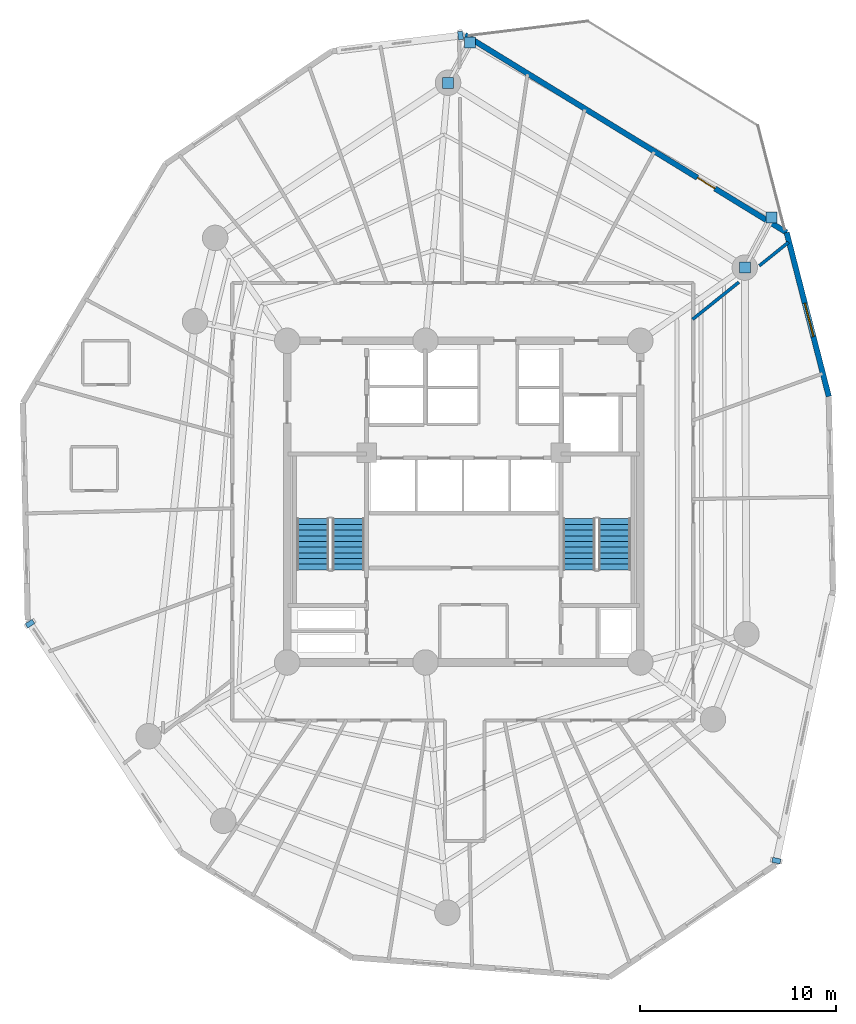
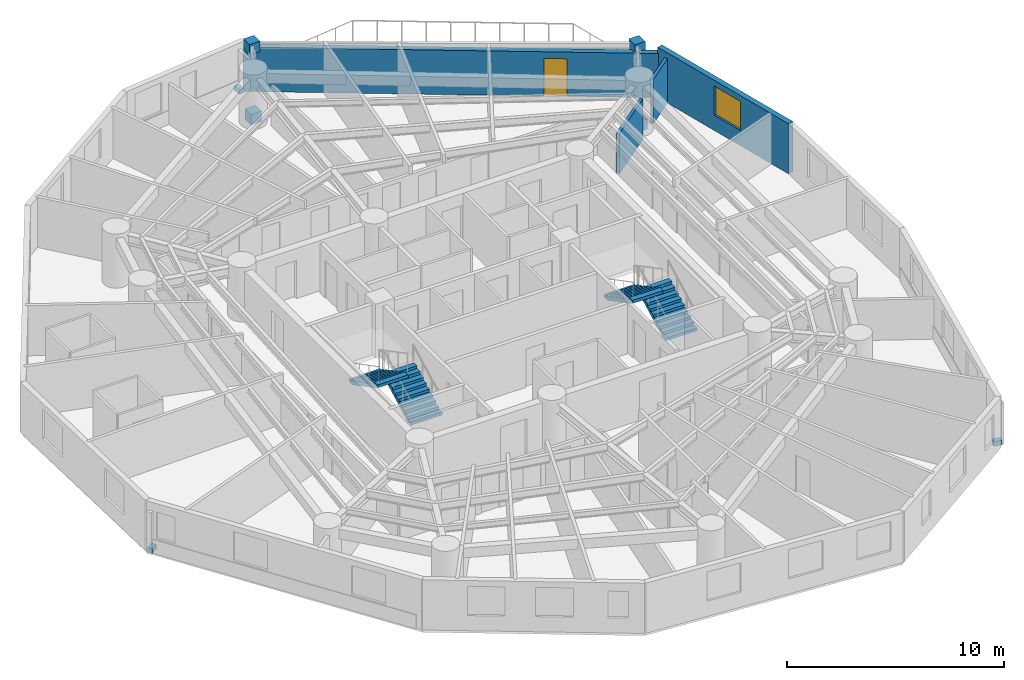
# One storey, part 7 of 9: 7 discrete accessories, 4 stair flights, 4 walls, 1 door, 1 window, 2 openings, 2 elements without a shape of their own.
"""IFC4 building model written with IfcOpenShell, lengths in metres."""

import ifcopenshell
import ifcopenshell.guid

model = None  # the IFC model being written
_history = None  # IfcOwnerHistory: only IFC2X3 demands one
_inside = {}  # id of a spatial element -> (the spatial element, [elements in it])
_under = {}  # id of a project, library or spatial element -> (it, [spatial elements below it])
_declared = {}  # id of a project -> (the project, [libraries it declares])
_typed = {}  # id of a type object -> (the type object, [elements of that type])
_made_of = {}  # id of a material, layer set ... -> (it, [elements and type objects made of it])


def new_model(schema):
    """Start an empty IFC model of exactly this schema.

    Asked for "IFC4X3", IfcOpenShell would pick the latest addendum, in which some entities
    have other attributes; the version numbers below select the first issue.
    IFC2X3 requires an IfcOwnerHistory on every rooted entity: one is made here for all.
    """
    global model, _history
    if schema == "IFC4X3":
        model = ifcopenshell.file(schema_version=(4, 3, 0, 0))
    else:
        model = ifcopenshell.file(schema=schema)
    _inside.clear()
    _under.clear()
    _declared.clear()
    _typed.clear()
    _made_of.clear()
    _history = None
    if model.schema == "IFC2X3":
        org = make("IfcOrganization", Name="unknown")
        user = make(
            "IfcPersonAndOrganization",
            ThePerson=make("IfcPerson", FamilyName="unknown"),
            TheOrganization=org,
        )
        app = make(
            "IfcApplication",
            ApplicationDeveloper=org,
            Version="unknown",
            ApplicationFullName="unknown",
            ApplicationIdentifier="unknown",
        )
        _history = make(
            "IfcOwnerHistory",
            OwningUser=user,
            OwningApplication=app,
            ChangeAction="ADDED",
            CreationDate=0,
        )
    return model


def make(cls, **values):
    """One entity of the class cls with the attributes given. An attribute that is None is left unset."""
    return model.create_entity(
        cls, **{name: value for name, value in values.items() if value is not None}
    )


def rooted(cls, **values):
    """An entity with a GlobalId (a new one), such as an element, a storey or a relation."""
    return make(cls, GlobalId=ifcopenshell.guid.new(), OwnerHistory=_history, **values)


def si_unit(unit_type, name, prefix=None):
    """IfcSIUnit, for example si_unit("LENGTHUNIT", "METRE", prefix="MILLI")."""
    return make("IfcSIUnit", UnitType=unit_type, Prefix=prefix, Name=name)


def assignment(units):
    """IfcUnitAssignment: the units of a project."""
    return None if units is None else make("IfcUnitAssignment", Units=units)


def point(xyz):
    """IfcCartesianPoint."""
    return None if xyz is None else make("IfcCartesianPoint", Coordinates=xyz)


def direction(xyz):
    """IfcDirection."""
    return None if xyz is None else make("IfcDirection", DirectionRatios=xyz)


def frame(location, z_axis=None, x_axis=None):
    """IfcAxis2Placement3D, a coordinate frame: its origin and axes. An axis left out is left unset."""
    return make(
        "IfcAxis2Placement3D",
        Location=point(location),
        Axis=direction(z_axis),
        RefDirection=direction(x_axis),
    )


def frame_2d(location, x_axis=None):
    """IfcAxis2Placement2D, a coordinate frame in the plane: its origin and x axis."""
    return make(
        "IfcAxis2Placement2D", Location=point(location), RefDirection=direction(x_axis)
    )


def origin():
    """The frame at (0, 0, 0) with its axes left unset."""
    return frame((0.0, 0.0, 0.0))


def origin_with_axes():
    """The frame at (0, 0, 0) with the z axis (0, 0, 1) and the x axis (1, 0, 0) written out."""
    return frame((0.0, 0.0, 0.0), z_axis=(0.0, 0.0, 1.0), x_axis=(1.0, 0.0, 0.0))


def origin_2d():
    """The frame at (0, 0) in the plane with its x axis left unset."""
    return frame_2d((0.0, 0.0))


def place(relative_to, where):
    """IfcLocalPlacement: puts the frame where relative to a parent placement (None: the world)."""
    return make(
        "IfcLocalPlacement", PlacementRelTo=relative_to, RelativePlacement=where
    )


def context(
    kind, dimensions, precision=None, world=None, true_north=None, identifier=None
):
    """IfcGeometricRepresentationContext, for example the 3D "Model" context."""
    return make(
        "IfcGeometricRepresentationContext",
        ContextIdentifier=identifier,
        ContextType=kind,
        CoordinateSpaceDimension=dimensions,
        Precision=precision,
        WorldCoordinateSystem=world,
        TrueNorth=true_north,
    )


def subcontext(parent, identifier, kind, view, scale=None):
    """IfcGeometricRepresentationSubContext, for example "Body" below "Model"."""
    return make(
        "IfcGeometricRepresentationSubContext",
        ContextIdentifier=identifier,
        ContextType=kind,
        ParentContext=parent,
        TargetScale=scale,
        TargetView=view,
    )


def project(units=None, contexts=None):
    """IfcProject with its units and contexts."""
    return rooted(
        "IfcProject",
        Name="project",
        RepresentationContexts=contexts,
        UnitsInContext=assignment(units),
    )


def spatial(cls, under=None, at=None, **own):
    """A site, building, storey or space (cls), placed at a placement, below another one or the project."""
    s = rooted(cls, ObjectPlacement=at, **own)
    if under is not None:
        _under.setdefault(under.id(), (under, []))[1].append(s)
    return s


def polyline(points):
    """IfcPolyline through the points."""
    return make("IfcPolyline", Points=[point(p) for p in points])


def profile(cls, at=None, kind="AREA", **sizes):
    """A parametric profile (cls). Its sizes go by their IFC names, for example OverallWidth=200.0."""
    return make(cls, ProfileType=kind, Position=at, **sizes)


def rectangle(**sizes):
    """IfcRectangleProfileDef."""
    return profile("IfcRectangleProfileDef", **sizes)


def outline(outer, holes=None, kind="AREA"):
    """IfcArbitraryClosedProfileDef: a profile drawn as a closed curve; with holes, ...WithVoids."""
    if holes is None:
        return make("IfcArbitraryClosedProfileDef", ProfileType=kind, OuterCurve=outer)
    return make(
        "IfcArbitraryProfileDefWithVoids",
        ProfileType=kind,
        OuterCurve=outer,
        InnerCurves=holes,
    )


def extrude(swept, where, along, depth):
    """IfcExtrudedAreaSolid: the profile swept, set in the frame where, extruded along a direction by depth."""
    return make(
        "IfcExtrudedAreaSolid",
        SweptArea=swept,
        Position=where,
        ExtrudedDirection=direction(along),
        Depth=depth,
    )


def shape(context_of_items, identifier, shape_type, items):
    """IfcShapeRepresentation: the items that make up one representation, for example the "Body"."""
    return make(
        "IfcShapeRepresentation",
        ContextOfItems=context_of_items,
        RepresentationIdentifier=identifier,
        RepresentationType=shape_type,
        Items=items,
    )


def source(mapping_origin, context_of_items, identifier, shape_type, items):
    """IfcRepresentationMap: a shape defined once, which mapped items show again and again."""
    return make(
        "IfcRepresentationMap",
        MappingOrigin=mapping_origin,
        MappedRepresentation=shape(context_of_items, identifier, shape_type, items),
    )


def transform(
    local_origin,
    x_axis=None,
    y_axis=None,
    z_axis=None,
    scale=None,
    scale2=None,
    scale3=None,
    uniform=True,
):
    """IfcCartesianTransformationOperator3D, or its non-uniform kind. x_axis, y_axis, z_axis: its Axis1, 2, 3."""
    if uniform:
        return make(
            "IfcCartesianTransformationOperator3D",
            Axis1=direction(x_axis),
            Axis2=direction(y_axis),
            LocalOrigin=point(local_origin),
            Scale=scale,
            Axis3=direction(z_axis),
        )
    return make(
        "IfcCartesianTransformationOperator3DnonUniform",
        Axis1=direction(x_axis),
        Axis2=direction(y_axis),
        LocalOrigin=point(local_origin),
        Scale=scale,
        Axis3=direction(z_axis),
        Scale2=scale2,
        Scale3=scale3,
    )


def mapped(mapping_source, mapping_target):
    """IfcMappedItem: shows the shape of a source again, moved by a transform."""
    return make(
        "IfcMappedItem", MappingSource=mapping_source, MappingTarget=mapping_target
    )


def material(Name=None, Category=None):
    """IfcMaterial."""
    return make("IfcMaterial", Name=Name, Category=Category)


def layer(
    of_material, thickness, ventilated=None, Name=None, Category=None, Priority=None
):
    """IfcMaterialLayer: one layer of a wall or slab, of a material (None: an air gap)."""
    return make(
        "IfcMaterialLayer",
        Material=of_material,
        LayerThickness=thickness,
        IsVentilated=ventilated,
        Name=Name,
        Category=Category,
        Priority=Priority,
    )


def layer_set(layers, Name=None):
    """IfcMaterialLayerSet."""
    return make("IfcMaterialLayerSet", MaterialLayers=layers, LayerSetName=Name)


def made_of(thing, what):
    """Note that an element or type object is made of a material, layer set ...; save() writes the relation."""
    if what is not None:
        _made_of.setdefault(what.id(), (what, []))[1].append(thing)
    return thing


def type_object(cls, material=None, **own):
    """A type object (cls), such as IfcWallType, which elements share."""
    return made_of(rooted(cls, **own), material)


def element(
    cls,
    number,
    at=None,
    inside=None,
    cuts=None,
    type_object=None,
    material=None,
    context=None,
    identifier="Body",
    shape_type=None,
    held_by="IfcProductDefinitionShape",
    body=None,
    shapes=None,
    **own,
):
    """One element of the class cls, such as IfcWall. Its Tag is "e" and its number.

    at: its placement. inside: the storey or other place that contains it. cuts: it is an
    opening in that element (IfcRelVoidsElement). A single representation is given by context,
    identifier, shape_type and body (its items); several are given by shapes. held_by: the class
    of the entity that holds the representations. save() writes the other relations.
    """
    e = rooted(cls, Tag="e%d" % number, ObjectPlacement=at, **own)
    if body is not None:
        shapes = [shape(context, identifier, shape_type, body)]
    if shapes is not None:
        e.Representation = make(held_by, Representations=shapes)
    if inside is not None:
        _inside.setdefault(inside.id(), (inside, []))[1].append(e)
    if cuts is not None:
        rooted(
            "IfcRelVoidsElement", RelatingBuildingElement=cuts, RelatedOpeningElement=e
        )
    if type_object is not None:
        _typed.setdefault(type_object.id(), (type_object, []))[1].append(e)
    return made_of(e, material)


def fill(opening, filler):
    """IfcRelFillsElement: the door or window that sits in an opening."""
    return rooted(
        "IfcRelFillsElement",
        RelatingOpeningElement=opening,
        RelatedBuildingElement=filler,
    )


def aggregate(whole, parts):
    """IfcRelAggregates: a whole, such as a stair, and the parts it consists of."""
    return rooted("IfcRelAggregates", RelatingObject=whole, RelatedObjects=parts)


def save(model, path):
    """Write the relations noted so far, then the file.

    IfcRelAggregates (storeys below a building ...), IfcRelContainedInSpatialStructure (elements
    in a storey), IfcRelDefinesByType, IfcRelAssociatesMaterial and IfcRelDeclares: one each for
    every whole, place, type object, material and project.
    """
    for whole, parts in _under.values():
        aggregate(whole, parts)
    for where, things in _inside.values():
        rooted(
            "IfcRelContainedInSpatialStructure",
            RelatedElements=things,
            RelatingStructure=where,
        )
    for kind, things in _typed.values():
        rooted("IfcRelDefinesByType", RelatedObjects=things, RelatingType=kind)
    for what, things in _made_of.values():
        rooted("IfcRelAssociatesMaterial", RelatedObjects=things, RelatingMaterial=what)
    for by, libraries in _declared.values():
        rooted("IfcRelDeclares", RelatingContext=by, RelatedDefinitions=libraries)
    model.write(path)


model = new_model("IFC4")

# Units and contexts
model_context = context("Model", 3, precision=1e-05, world=origin(), true_north=direction((0.0, 1.0)))
body_context = subcontext(model_context, "Body", "Model", "MODEL_VIEW")
ifc_project = project(units=[si_unit("LENGTHUNIT", "METRE"), si_unit("AREAUNIT", "SQUARE_METRE"), si_unit("VOLUMEUNIT", "CUBIC_METRE"), si_unit("PLANEANGLEUNIT", "RADIAN"), si_unit("MASSUNIT", "GRAM", prefix="KILO")], contexts=[model_context])

# Site, building, storey
site_placement = place(None, origin())
site = spatial("IfcSite", under=ifc_project, at=site_placement, CompositionType="ELEMENT")
building_placement = place(site_placement, origin())
building = spatial("IfcBuilding", under=site, at=building_placement, Name="Karkom Vertical University and Central Library", CompositionType="ELEMENT")
storey_placement = place(building_placement, frame((0.0, 0.0, 190.10009765625)))
storey = spatial("IfcBuildingStorey", under=building, at=storey_placement, Name="L55", CompositionType="ELEMENT", Elevation=190.10009765625)

# Wall, opening, window
ifc_material_1 = material(Name="Brick-faced precast concrete C45/55", Category="masonry")
ifc_layer_1 = layer(ifc_material_1, 0.280029296875)
ifc_layer_set_1 = layer_set([ifc_layer_1], Name="Brick-faced precast concrete C45/55")
wall_type_1 = type_object("IfcWallType", Name="ENV-WL-BRK-280", PredefinedType="SOLIDWALL", material=ifc_layer_set_1)
wall_1_placement = place(storey_placement, frame((47.107421875, 31.861328125, 0.0), z_axis=(0.0, 0.0, 1.0), x_axis=(-0.249041039811, 0.968492932597, 0.0)))
wall_1 = element("IfcWall", 1, at=wall_1_placement, inside=storey, type_object=wall_type_1, Name="Level 55 Brick-Faced Precast Facade Wall 07", PredefinedType="SOLIDWALL", context=body_context, shape_type="SweptSolid", body=[
    extrude(rectangle(XDim=8.62890625, YDim=0.280029296875, at=frame_2d((4.314453125, 0.0))), origin(), (0.0, 0.0, 1.0), 2.824951171875),
])
opening_1_placement = place(wall_1_placement, frame((3.154296875, 0.0, 0.85009765625)))
opening_1 = element("IfcOpeningElement", 2, at=opening_1_placement, cuts=wall_1, Name="Opening WN-08", PredefinedType="OPENING", context=body_context, shape_type="SweptSolid", body=[
    extrude(rectangle(XDim=1.75, YDim=1.64990234375, at=frame_2d((0.875, 0.824951171875))), frame((0.0, 0.14990234375, 0.0), z_axis=(0.0, -1.0, 0.0), x_axis=(1.0, 0.0, 0.0)), (0.0, 0.0, 1.0), 0.300048828125),
])
ifc_material_2 = material(Name="Aluminium thermal-break frame with solar-control IGU", Category="aluminium")
window_type = type_object("IfcWindowType", Name="ENV-WIN-WN-08", PartitioningType="SINGLE_PANEL", PredefinedType="WINDOW", material=ifc_material_2)
shared_shape_1 = source(origin_with_axes(), body_context, "Body", "SweptSolid", [
    extrude(rectangle(XDim=1.75, YDim=1.64990234375, at=frame_2d((0.875, 0.824951171875))), frame((0.0, 0.030029296875, 0.0), z_axis=(0.0, -1.0, 0.0), x_axis=(1.0, 0.0, 0.0)), (0.0, 0.0, 1.0), 0.06005859375),
])
window_placement = place(opening_1_placement, origin())
window = element("IfcWindow", 3, at=window_placement, inside=storey, type_object=window_type, Name="Level 55 Punched Window 7.1", OverallHeight=1.64990234375, OverallWidth=1.75, PartitioningType="SINGLE_PANEL", PredefinedType="WINDOW", context=body_context, shape_type="MappedRepresentation", body=[
    mapped(shared_shape_1, transform((0.0, 0.0, 0.0), scale=1.0)),
])
fill(opening_1, window)

# Wall, opening, door
wall_2_placement = place(storey_placement, frame((44.95849609375, 40.21826171875, 0.0), z_axis=(0.0, 0.0, 1.0), x_axis=(-0.852257947878, 0.523121773853, 0.0)))
wall_2 = element("IfcWall", 4, at=wall_2_placement, inside=storey, type_object=wall_type_1, Name="Level 55 Brick-Faced Precast Facade Wall 08", PredefinedType="SOLIDWALL", context=body_context, shape_type="SweptSolid", body=[
    extrude(rectangle(XDim=19.245849609375, YDim=0.280029296875, at=frame_2d((9.623046875, 0.0))), origin(), (0.0, 0.0, 1.0), 2.494873046875),
])
opening_2_placement = place(wall_2_placement, frame((4.28662109375, 0.0, 0.0)))
opening_2 = element("IfcOpeningElement", 5, at=opening_2_placement, cuts=wall_2, Name="Opening TD-1", PredefinedType="OPENING", context=body_context, shape_type="SweptSolid", body=[
    extrude(rectangle(XDim=1.050048828125, YDim=2.1201171875, at=frame_2d((0.52490234375, 1.06005859375))), frame((0.0, 0.14990234375, 0.0), z_axis=(0.0, -1.0, 0.0), x_axis=(1.0, 0.0, 0.0)), (0.0, 0.0, 1.0), 0.300048828125),
])
ifc_material_3 = material(Name="Thermally broken glazed aluminium terrace door", Category="aluminium")
door_type = type_object("IfcDoorType", Name="ENV-DR-TERR", OperationType="NOTDEFINED", PredefinedType="DOOR", material=ifc_material_3)
shared_shape_2 = source(origin_with_axes(), body_context, "Body", "SweptSolid", [
    extrude(rectangle(XDim=1.050048828125, YDim=2.1201171875, at=frame_2d((0.52490234375, 1.06005859375))), frame((0.0, 0.02490234375, 0.0), z_axis=(0.0, -1.0, 0.0), x_axis=(1.0, 0.0, 0.0)), (0.0, 0.0, 1.0), 0.050048828125),
])
door_placement = place(opening_2_placement, origin())
door = element("IfcDoor", 6, at=door_placement, inside=storey, type_object=door_type, Name="Level 55 Outdoor Terrace Access Door", OperationType="SINGLE_SWING_RIGHT", OverallHeight=2.1201171875, OverallWidth=1.050048828125, PredefinedType="DOOR", context=body_context, shape_type="MappedRepresentation", body=[
    mapped(shared_shape_2, transform((0.0, 0.0, 0.0), scale=1.0)),
])
fill(opening_2, door)

# Walls
ifc_material_4 = material(Name="Insulated metal-stud drywall 160mm", Category="gypsum")
ifc_layer_2 = layer(ifc_material_4, 0.159912109375)
ifc_layer_set_2 = layer_set([ifc_layer_2], Name="Insulated metal-stud drywall 160mm")
wall_type_2 = type_object("IfcWallType", Name="INT-WL-COR-160", PredefinedType="PARTITIONING", material=ifc_layer_set_2)
wall_3_placement = place(storey_placement, frame((40.164794921875, 35.79248046875, 0.0), z_axis=(0.0, 0.0, 1.0), x_axis=(0.77963972714, 0.626228309696, 0.0)))
element("IfcWall", 7, at=wall_3_placement, inside=storey, type_object=wall_type_2, Name="Level 55 Interior Partition Wall L55-PW-021", PredefinedType="PARTITIONING", context=body_context, shape_type="SweptSolid", body=[
    extrude(rectangle(XDim=3.02685546875, YDim=0.159912109375, at=frame_2d((1.513427734375, 0.0))), origin(), (0.0, 0.0, 1.0), 2.27490234375),
])
wall_4_placement = place(storey_placement, frame((43.56396484375, 38.522705078125, 0.0), z_axis=(0.0, 0.0, 1.0), x_axis=(0.779659188249, 0.626204080295, 0.0)))
element("IfcWall", 8, at=wall_4_placement, inside=storey, type_object=wall_type_2, Name="Level 55 Interior Partition Wall L55-PW-022", PredefinedType="PARTITIONING", context=body_context, shape_type="SweptSolid", body=[
    extrude(rectangle(XDim=1.912353515625, YDim=0.159912109375, at=frame_2d((0.9560546875, 0.0))), origin(), (0.0, 0.0, 1.0), 2.494873046875),
])

# Stair, stair flights
ifc_material_5 = material(Name="Concrete C45/55", Category="concrete")
stair_type = type_object("IfcStairType", Name="INT-STR-ST-MAIN", PredefinedType="HALF_TURN_STAIR", material=ifc_material_5)
stair_1_placement = place(storey_placement, origin())
stair_1 = element("IfcStair", 9, at=stair_1_placement, inside=storey, type_object=stair_type, Name="Level 55 Tower Protected Exit Stair ST-1", PredefinedType="HALF_TURN_STAIR")
stair_flight_type = type_object("IfcStairFlightType", Name="INT-SFL-ST-MAIN", PredefinedType="STRAIGHT", material=ifc_material_5)
stair_flight_1_placement = place(storey_placement, frame((22.614990234375, 23.02001953125, 0.0), z_axis=(0.0, 0.0, 1.0), x_axis=(0.0, 1.0, 0.0)))
stair_flight_1 = element("IfcStairFlight", 10, at=stair_flight_1_placement, type_object=stair_flight_type, Name="ST-1 flight 1", NumberOfRisers=10, NumberOfTreads=9, PredefinedType="STRAIGHT", RiserHeight=0.1525, TreadLength=0.29, context=body_context, shape_type="SweptSolid", body=[
    extrude(outline(polyline([(0.0, 0.0), (0.0, 0.152587890625), (0.2900390625, 0.152587890625), (0.2900390625, 0.304931640625), (0.580078125, 0.304931640625), (0.580078125, 0.45751953125), (0.8701171875, 0.45751953125), (0.8701171875, 0.610107421875), (1.159912109375, 0.610107421875), (1.159912109375, 0.762451171875), (1.449951171875, 0.762451171875), (1.449951171875, 0.9150390625), (1.739990234375, 0.9150390625), (1.739990234375, 1.0673828125), (2.030029296875, 1.0673828125), (2.030029296875, 1.219970703125), (2.320068359375, 1.219970703125), (2.320068359375, 1.37255859375), (2.610107421875, 1.37255859375), (2.610107421875, 1.52490234375), (2.610107421875, 1.203125), (0.322021484375, 0.0), (0.0, 0.0)])), frame((0.0, 0.824951171875, 0.0), z_axis=(0.0, -1.0, 0.0), x_axis=(1.0, 0.0, 0.0)), (0.0, 0.0, 1.0), 1.64990234375),
])
stair_flight_2_placement = place(storey_placement, frame((20.804931640625, 25.6298828125, 1.52490234375), z_axis=(0.0, 0.0, 1.0), x_axis=(0.0, -1.0, 0.0)))
stair_flight_2 = element("IfcStairFlight", 11, at=stair_flight_2_placement, type_object=stair_flight_type, Name="ST-1 flight 2", NumberOfRisers=10, NumberOfTreads=9, PredefinedType="STRAIGHT", RiserHeight=0.1525, TreadLength=0.29, context=body_context, shape_type="SweptSolid", body=[
    extrude(outline(polyline([(0.0, 0.0), (0.0, 0.152587890625), (0.2900390625, 0.152587890625), (0.2900390625, 0.304931640625), (0.580078125, 0.304931640625), (0.580078125, 0.45751953125), (0.8701171875, 0.45751953125), (0.8701171875, 0.610107421875), (1.159912109375, 0.610107421875), (1.159912109375, 0.762451171875), (1.449951171875, 0.762451171875), (1.449951171875, 0.9150390625), (1.739990234375, 0.9150390625), (1.739990234375, 1.0673828125), (2.030029296875, 1.0673828125), (2.030029296875, 1.219970703125), (2.320068359375, 1.219970703125), (2.320068359375, 1.37255859375), (2.610107421875, 1.37255859375), (2.610107421875, 1.52490234375), (2.610107421875, 1.203125), (0.322021484375, 0.0), (0.0, 0.0)])), frame((0.0, 0.824951171875, 0.0), z_axis=(0.0, -1.0, 0.0), x_axis=(1.0, 0.0, 0.0)), (0.0, 0.0, 1.0), 1.64990234375),
])
aggregate(stair_1, [stair_flight_1, stair_flight_2])

stair_2_placement = place(storey_placement, origin())
stair_2 = element("IfcStair", 12, at=stair_2_placement, inside=storey, type_object=stair_type, Name="Level 55 Tower Protected Exit Stair ST-2", PredefinedType="HALF_TURN_STAIR")
stair_flight_3_placement = place(storey_placement, frame((36.195068359375, 23.02001953125, 0.0), z_axis=(0.0, 0.0, 1.0), x_axis=(0.0, 1.0, 0.0)))
stair_flight_3 = element("IfcStairFlight", 13, at=stair_flight_3_placement, type_object=stair_flight_type, Name="ST-2 flight 1", NumberOfRisers=10, NumberOfTreads=9, PredefinedType="STRAIGHT", RiserHeight=0.1525, TreadLength=0.29, context=body_context, shape_type="SweptSolid", body=[
    extrude(outline(polyline([(0.0, 0.0), (0.0, 0.152587890625), (0.2900390625, 0.152587890625), (0.2900390625, 0.304931640625), (0.580078125, 0.304931640625), (0.580078125, 0.45751953125), (0.8701171875, 0.45751953125), (0.8701171875, 0.610107421875), (1.159912109375, 0.610107421875), (1.159912109375, 0.762451171875), (1.449951171875, 0.762451171875), (1.449951171875, 0.9150390625), (1.739990234375, 0.9150390625), (1.739990234375, 1.0673828125), (2.030029296875, 1.0673828125), (2.030029296875, 1.219970703125), (2.320068359375, 1.219970703125), (2.320068359375, 1.37255859375), (2.610107421875, 1.37255859375), (2.610107421875, 1.52490234375), (2.610107421875, 1.203125), (0.322021484375, 0.0), (0.0, 0.0)])), frame((0.0, 0.824951171875, 0.0), z_axis=(0.0, -1.0, 0.0), x_axis=(1.0, 0.0, 0.0)), (0.0, 0.0, 1.0), 1.64990234375),
])
stair_flight_4_placement = place(storey_placement, frame((34.385009765625, 25.6298828125, 1.52490234375), z_axis=(0.0, 0.0, 1.0), x_axis=(0.0, -1.0, 0.0)))
stair_flight_4 = element("IfcStairFlight", 14, at=stair_flight_4_placement, type_object=stair_flight_type, Name="ST-2 flight 2", NumberOfRisers=10, NumberOfTreads=9, PredefinedType="STRAIGHT", RiserHeight=0.1525, TreadLength=0.29, context=body_context, shape_type="SweptSolid", body=[
    extrude(outline(polyline([(0.0, 0.0), (0.0, 0.152587890625), (0.2900390625, 0.152587890625), (0.2900390625, 0.304931640625), (0.580078125, 0.304931640625), (0.580078125, 0.45751953125), (0.8701171875, 0.45751953125), (0.8701171875, 0.610107421875), (1.159912109375, 0.610107421875), (1.159912109375, 0.762451171875), (1.449951171875, 0.762451171875), (1.449951171875, 0.9150390625), (1.739990234375, 0.9150390625), (1.739990234375, 1.0673828125), (2.030029296875, 1.0673828125), (2.030029296875, 1.219970703125), (2.320068359375, 1.219970703125), (2.320068359375, 1.37255859375), (2.610107421875, 1.37255859375), (2.610107421875, 1.52490234375), (2.610107421875, 1.203125), (0.322021484375, 0.0), (0.0, 0.0)])), frame((0.0, 0.824951171875, 0.0), z_axis=(0.0, -1.0, 0.0), x_axis=(1.0, 0.0, 0.0)), (0.0, 0.0, 1.0), 1.64990234375),
])
aggregate(stair_2, [stair_flight_3, stair_flight_4])

# Discrete accessories
ifc_material_6 = material(Name="Ductile cast iron EN-GJS-400-15", Category="metal")
discrete_accessory_type_1 = type_object("IfcDiscreteAccessoryType", Name="STR-ACC-NODECAP", PredefinedType="BRACKET", material=ifc_material_6)
shared_shape_3 = source(origin_with_axes(), body_context, "Body", "SweptSolid", [
    extrude(rectangle(XDim=0.56005859375, YDim=0.56005859375, at=origin_2d()), origin(), (0.0, 0.0, 1.0), 0.580078125),
])
for number, where, z_axis, x_axis, name in (
    (15, (42.823974609375, 38.427978515625, 0.059814453125), (0.0, 0.0, 1.0), (1.0, 0.0, 0.0), "Level 55 Cast Node Connector L55-SKG-KNEE-1 A"),
    (16, (44.194091796875, 40.995361328125, 2.369873046875), (0.0, 0.0, 1.0), (1.0, 0.0, 0.0), "Level 55 Cast Node Connector L55-SKG-KNEE-1 B"),
    (17, (27.699951171875, 47.85009765625, 0.059814453125), (0.0, 0.0, 1.0), (1.0, 0.0, 0.0), "Level 55 Cast Node Connector L55-SKG-KNEE-2 A"),
    (18, (28.8125, 49.893798828125, 2.369873046875), (0.0, 0.0, 1.0), (1.0, 0.0, 0.0), "Level 55 Cast Node Connector L55-SKG-KNEE-2 B"),
):
    element("IfcDiscreteAccessory", number, at=place(storey_placement, frame(where, z_axis=z_axis, x_axis=x_axis)), inside=storey, type_object=discrete_accessory_type_1, Name=name, PredefinedType="BRACKET", context=body_context, shape_type="MappedRepresentation", body=[
        mapped(shared_shape_3, transform((0.0, 0.0, 0.0), scale=1.0)),
    ])
ifc_material_7 = material(Name="Austenitic stainless steel 316", Category="steel")
discrete_accessory_type_2 = type_object("IfcDiscreteAccessoryType", Name="INT-ACC-BRACKET", PredefinedType="BRACKET", material=ifc_material_7)
shared_shape_4 = source(origin_with_axes(), body_context, "Body", "SweptSolid", [
    extrude(rectangle(XDim=0.260009765625, YDim=0.419921875, at=origin_2d()), origin(), (0.0, 0.0, 1.0), 0.260009765625),
])
for number, where, z_axis, x_axis, name in (
    (19, (6.390380859375, 20.280517578125, 0.0), (0.0, 0.0, 1.0), (0.550772123421, -0.834655658378, 0.0), "Level 55 Sun-Breaker Stainless Corbel Bracket 25"),
    (20, (44.435791015625, 8.201416015625, 0.0), (0.0, 0.0, 1.0), (0.205521007059, 0.978652704312, 0.0), "Level 55 Sun-Breaker Stainless Corbel Bracket 26"),
    (21, (28.337646484375, 50.259765625, 0.0), (0.0, 0.0, 1.0), (-0.992694302346, -0.120656628871, 0.0), "Level 55 Sun-Breaker Stainless Corbel Bracket 27"),
):
    element("IfcDiscreteAccessory", number, at=place(storey_placement, frame(where, z_axis=z_axis, x_axis=x_axis)), inside=storey, type_object=discrete_accessory_type_2, Name=name, PredefinedType="BRACKET", context=body_context, shape_type="MappedRepresentation", body=[
        mapped(shared_shape_4, transform((0.0, 0.0, 0.0), scale=1.0)),
    ])

save(model, "model.ifc")
